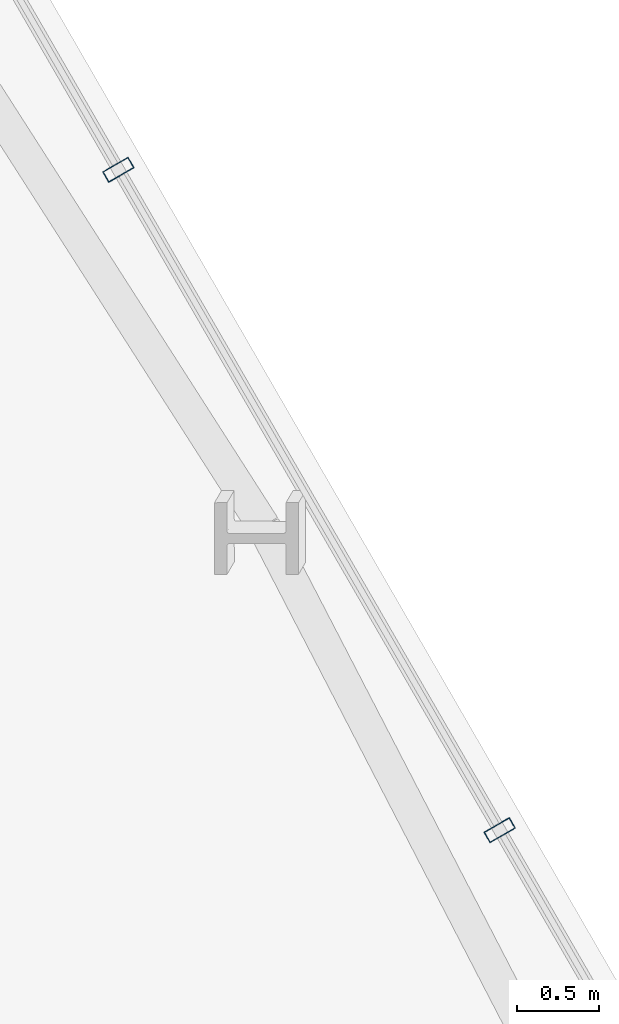
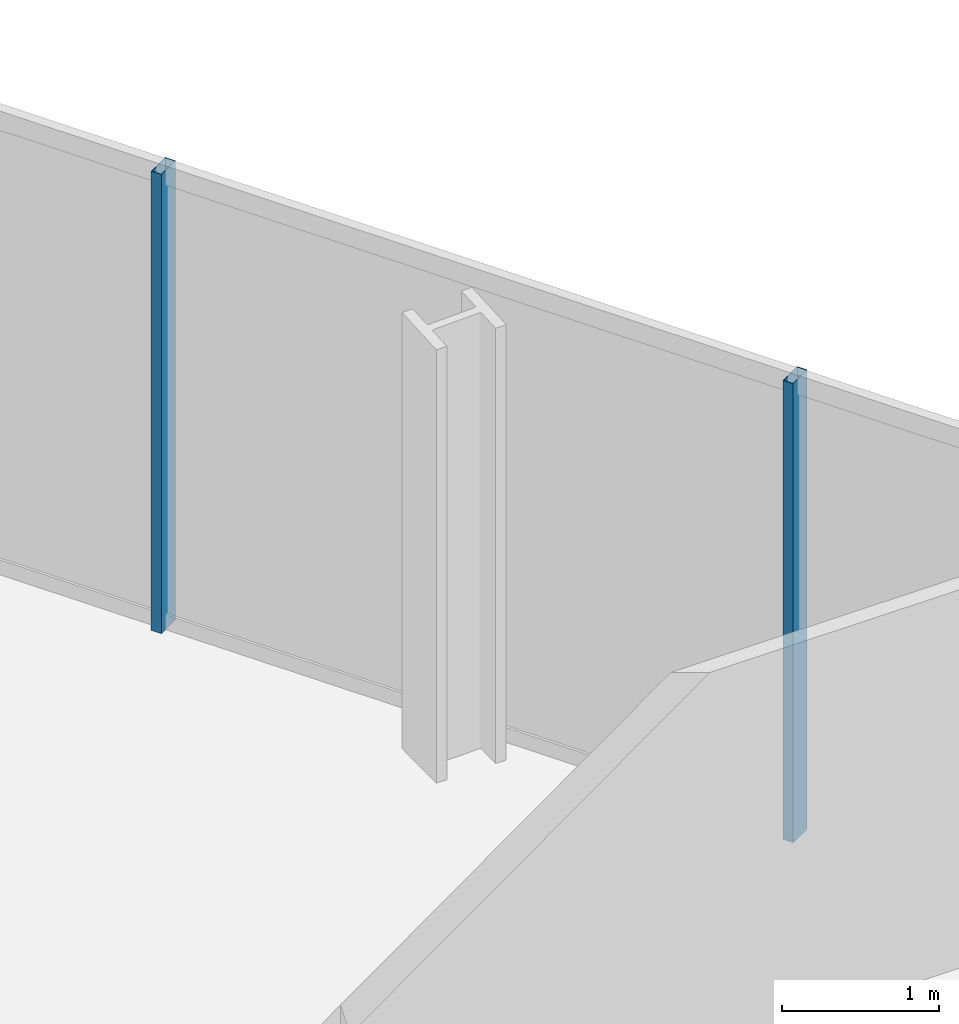
# One storey, part 21 of 33: 2 members, 1 element without a shape of its own.
"""IFC4 building model written with IfcOpenShell, lengths in metres."""

from ifc_helpers import new_model, si_unit, direction, frame, origin, origin_2d, place, context, subcontext, project, spatial, hollow_rectangle, extrude, material, layer, layer_set, material_profile, profile_set, type_object, element, aggregate, save


model = new_model("IFC4")

# Units and contexts
model_context = context("Model", 3, precision=1e-05, world=origin(), true_north=direction((0.0, 1.0)))
body_context = subcontext(model_context, "Body", "Model", "MODEL_VIEW")
ifc_project = project(units=[si_unit("LENGTHUNIT", "METRE"), si_unit("AREAUNIT", "SQUARE_METRE"), si_unit("VOLUMEUNIT", "CUBIC_METRE"), si_unit("PLANEANGLEUNIT", "RADIAN"), si_unit("MASSUNIT", "GRAM", prefix="KILO")], contexts=[model_context])

# Site, building, storey
site_placement = place(None, origin())
site = spatial("IfcSite", under=ifc_project, at=site_placement, CompositionType="ELEMENT")
building_placement = place(site_placement, origin())
building = spatial("IfcBuilding", under=site, at=building_placement, Name="Ndaravel Arena Tower", CompositionType="ELEMENT")
storey_placement = place(building_placement, frame((0.0, 0.0, 89.199951171875)))
storey = spatial("IfcBuildingStorey", under=building, at=storey_placement, Name="L20", CompositionType="ELEMENT", Elevation=89.199951171875)

# Curtain wall, members
ifc_material_1 = material(Name="Aluminium", Category="aluminium")
ifc_layer = layer(ifc_material_1, 0.179931640625)
ifc_layer_set = layer_set([ifc_layer], Name="Aluminium")
curtain_wall_type = type_object("IfcCurtainWallType", Name="CW-SYS-03", PredefinedType="NOTDEFINED", material=ifc_layer_set)
curtain_wall_placement = place(storey_placement, origin())
curtain_wall = element("IfcCurtainWall", 1, at=curtain_wall_placement, inside=storey, type_object=curtain_wall_type, Name="L20 Faceted Crystal Curtain Wall CW-L20-E03", PredefinedType="NOTDEFINED")
ifc_material_2 = material(Name="Aluminium", Category="aluminium")
ifc_material_profile = material_profile(ifc_material_2, hollow_rectangle(XDim=0.074951171875, YDim=0.179931640625, WallThickness=0.00390625, at=origin_2d()), Name="CW MULLION 75x180x4")
ifc_profile_set = profile_set([ifc_material_profile], Name="Aluminium")
member_type = type_object("IfcMemberType", Name="MEM-CW-MUL180", PredefinedType="MULLION", material=ifc_profile_set)
member_1_placement = place(storey_placement, frame((58.529296875, 29.754150390625, 0.0), z_axis=(0.0, 0.0, 1.0), x_axis=(-0.5, 0.866025403784, 0.0)))
member_1 = element("IfcMember", 2, at=member_1_placement, type_object=member_type, Name="CW-L20-E03 Mullion 03", PredefinedType="MULLION", context=body_context, shape_type="SweptSolid", body=[
    extrude(hollow_rectangle(XDim=0.074951171875, YDim=0.179931640625, WallThickness=0.00390625, at=origin_2d()), origin(), (0.0, 0.0, 1.0), 3.580078125),
])
member_2_placement = place(storey_placement, frame((56.199462890625, 33.78955078125, 0.0), z_axis=(0.0, 0.0, 1.0), x_axis=(-0.5, 0.866025403784, 0.0)))
member_2 = element("IfcMember", 3, at=member_2_placement, type_object=member_type, Name="CW-L20-E03 Mullion 04", PredefinedType="MULLION", context=body_context, shape_type="SweptSolid", body=[
    extrude(hollow_rectangle(XDim=0.074951171875, YDim=0.179931640625, WallThickness=0.00390625, at=origin_2d()), origin(), (0.0, 0.0, 1.0), 3.580078125),
])
aggregate(curtain_wall, [member_1, member_2])

save(model, "model.ifc")
